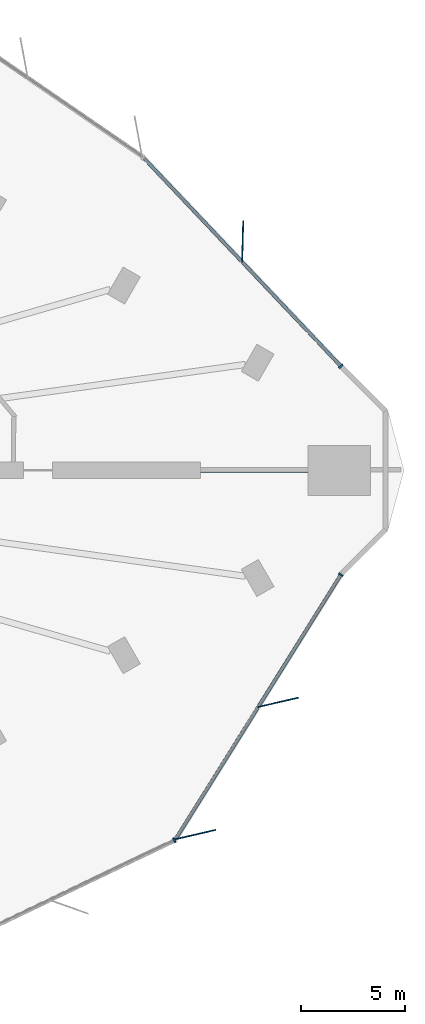
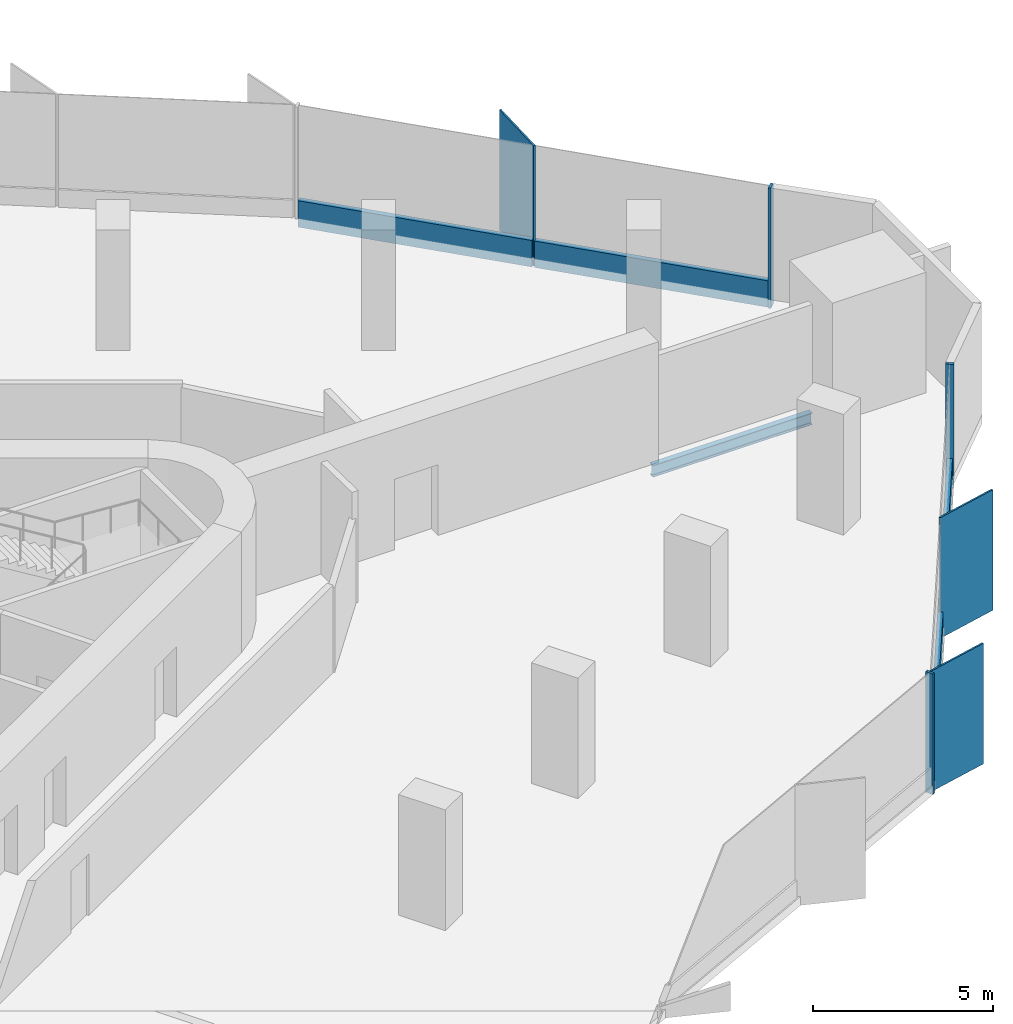
# One storey, part 6 of 15: 10 members, 1 beam, 3 elements without a shape of their own.
"""IFC4 building model written with IfcOpenShell, lengths in metres."""

from ifc_helpers import new_model, si_unit, direction, frame, origin, origin_2d, place, context, subcontext, project, spatial, rectangle, i_section, extrude, material, material_profile, profile_set, type_object, element, aggregate, save


model = new_model("IFC4")

# Units and contexts
model_context = context("Model", 3, precision=1e-05, world=origin(), true_north=direction((0.0, 1.0)))
body_context = subcontext(model_context, "Body", "Model", "MODEL_VIEW")
ifc_project = project(units=[si_unit("LENGTHUNIT", "METRE"), si_unit("AREAUNIT", "SQUARE_METRE"), si_unit("VOLUMEUNIT", "CUBIC_METRE"), si_unit("PLANEANGLEUNIT", "RADIAN"), si_unit("MASSUNIT", "GRAM", prefix="KILO")], contexts=[model_context])

# Site, building, storey
site_placement = place(None, origin())
site = spatial("IfcSite", under=ifc_project, at=site_placement, CompositionType="ELEMENT")
building_placement = place(site_placement, origin())
building = spatial("IfcBuilding", under=site, at=building_placement, Name="Tanit Gate Tower", CompositionType="ELEMENT")
storey_placement = place(building_placement, frame((0.0, 0.0, 98.800048828125)))
storey = spatial("IfcBuildingStorey", under=building, at=storey_placement, Name="L20", CompositionType="ELEMENT", Elevation=98.800048828125)

# Curtain wall, member
ifc_material_1 = material(Name="Aluminium bronze anodised and glass", Category="aluminium")
curtain_wall_type = type_object("IfcCurtainWallType", Name="Curtain wall typical low", PredefinedType="NOTDEFINED", material=ifc_material_1)
curtain_wall_1_placement = place(storey_placement, origin())
curtain_wall_1 = element("IfcCurtainWall", 1, at=curtain_wall_1_placement, inside=storey, type_object=curtain_wall_type, Name="Curtain wall L20 NE1", PredefinedType="NOTDEFINED")
ifc_material_2 = material(Name="Aluminium bronze anodised", Category="aluminium")
ifc_material_profile_1 = material_profile(ifc_material_2, rectangle(XDim=2.0, YDim=0.055908203125, at=origin_2d()), Name="56x2000 bronze fin mullion")
ifc_profile_set_1 = profile_set([ifc_material_profile_1], Name="Aluminium bronze anodised")
member_type_1 = type_object("IfcMemberType", Name="FIN MULLION 56x2000 bronze", PredefinedType="MULLION", material=ifc_profile_set_1)
member_1_placement = place(storey_placement, frame((36.398193359375, 10.951416015625, -0.300048828125), z_axis=(0.0, 0.0, 1.0), x_axis=(-0.027242100018, -0.999628865123, 0.0)))
member_1 = element("IfcMember", 2, at=member_1_placement, type_object=member_type_1, Name="Fin mullion L20 NE1.2", PredefinedType="MULLION", context=body_context, shape_type="SweptSolid", body=[
    extrude(rectangle(XDim=2.0, YDim=0.055908203125, at=origin_2d()), origin(), (0.0, 0.0, 1.0), 4.10009765625),
])

# Curtain wall, members
curtain_wall_2_placement = place(storey_placement, origin())
curtain_wall_2 = element("IfcCurtainWall", 3, at=curtain_wall_2_placement, inside=storey, type_object=curtain_wall_type, Name="Curtain wall L20 SE3", PredefinedType="NOTDEFINED")
member_2_placement = place(storey_placement, frame((34.138671875, -17.432861328125, -0.300048828125), z_axis=(0.0, 0.0, 1.0), x_axis=(-0.974389387498, -0.224867342072, 0.0)))
member_2 = element("IfcMember", 4, at=member_2_placement, type_object=member_type_1, Name="Fin mullion L20 SE3.1", PredefinedType="MULLION", context=body_context, shape_type="SweptSolid", body=[
    extrude(rectangle(XDim=2.0, YDim=0.055908203125, at=origin_2d()), origin(), (0.0, 0.0, 1.0), 4.10009765625),
])
member_3_placement = place(storey_placement, frame((38.09423828125, -11.10400390625, -0.300048828125), z_axis=(0.0, 0.0, 1.0), x_axis=(-0.974389387498, -0.224867342072, 0.0)))
member_3 = element("IfcMember", 5, at=member_3_placement, type_object=member_type_1, Name="Fin mullion L20 SE3.2", PredefinedType="MULLION", context=body_context, shape_type="SweptSolid", body=[
    extrude(rectangle(XDim=2.0, YDim=0.055908203125, at=origin_2d()), origin(), (0.0, 0.0, 1.0), 4.10009765625),
])

# Member
ifc_material_3 = material(Name="Aluminium bronze anodised", Category="aluminium")
ifc_material_profile_2 = material_profile(ifc_material_3, rectangle(XDim=0.239990234375, YDim=0.080078125, at=origin_2d()), Name="80x240 bronze mullion")
ifc_profile_set_2 = profile_set([ifc_material_profile_2], Name="Aluminium bronze anodised")
member_type_2 = type_object("IfcMemberType", Name="Mullion 80x240 typical low", PredefinedType="MULLION", material=ifc_profile_set_2)
member_4_placement = place(storey_placement, frame((41.099609375, 4.9814453125, -0.300048828125), z_axis=(0.0, 0.0, 1.0), x_axis=(-0.726107422855, -0.687581275541, 0.0)))
member_4 = element("IfcMember", 6, at=member_4_placement, type_object=member_type_2, Name="Mullion L20 NE1.1", PredefinedType="MULLION", context=body_context, shape_type="SweptSolid", body=[
    extrude(rectangle(XDim=0.239990234375, YDim=0.080078125, at=origin_2d()), origin(), (0.0, 0.0, 1.0), 4.10009765625),
])

# Curtain wall, member
curtain_wall_3_placement = place(storey_placement, origin())
curtain_wall_3 = element("IfcCurtainWall", 7, at=curtain_wall_3_placement, inside=storey, type_object=curtain_wall_type, Name="Curtain wall L20 SE2", PredefinedType="NOTDEFINED")
member_5_placement = place(storey_placement, frame((33.129150390625, -17.703857421875, -0.300048828125), z_axis=(0.0, 0.0, 1.0), x_axis=(-0.431072811819, 0.902317145415, 0.0)))
member_5 = element("IfcMember", 8, at=member_5_placement, type_object=member_type_2, Name="Mullion L20 SE2.7", PredefinedType="MULLION", context=body_context, shape_type="SweptSolid", body=[
    extrude(rectangle(XDim=0.239990234375, YDim=0.080078125, at=origin_2d()), origin(), (0.0, 0.0, 1.0), 4.10009765625),
])
aggregate(curtain_wall_3, [member_5])

# Member
member_6_placement = place(storey_placement, frame((41.097412109375, -4.994873046875, -0.300048828125), z_axis=(0.0, 0.0, 1.0), x_axis=(-0.848002565863, 0.529992120969, 0.0)))
member_6 = element("IfcMember", 9, at=member_6_placement, type_object=member_type_2, Name="Mullion L20 SE3.3", PredefinedType="MULLION", context=body_context, shape_type="SweptSolid", body=[
    extrude(rectangle(XDim=0.239990234375, YDim=0.080078125, at=origin_2d()), origin(), (0.0, 0.0, 1.0), 4.10009765625),
])

# Beam
ifc_material_4 = material(Name="Steel S355", Category="steel")
ifc_material_profile_3 = material_profile(ifc_material_4, i_section(OverallWidth=0.179931640625, OverallDepth=0.39990234375, WebThickness=0.008544921875, FlangeThickness=0.013427734375, FilletRadius=0.02099609375, at=origin_2d()), Name="IPE 400")
ifc_profile_set_3 = profile_set([ifc_material_profile_3], Name="Steel S355")
beam_type = type_object("IfcBeamType", Name="RADIAL GIRDER IPE 400 S355", PredefinedType="BEAM", material=ifc_profile_set_3)
beam_placement = place(storey_placement, frame((39.520751953125, 0.0, -0.5), z_axis=(-1.0, 0.0, 0.0), x_axis=(0.0, -1.0, 0.0)))
element("IfcBeam", 10, at=beam_placement, inside=storey, type_object=beam_type, Name="RADIAL GIRDER", PredefinedType="BEAM", context=body_context, shape_type="SweptSolid", body=[
    extrude(i_section(OverallWidth=0.179931640625, OverallDepth=0.39990234375, WebThickness=0.008544921875, FlangeThickness=0.013427734375, FilletRadius=0.02099609375, at=origin_2d()), origin(), (0.0, 0.0, 1.0), 5.1298828125),
])

# Member
ifc_material_5 = material(Name="Aluminium bronze anodised", Category="aluminium")
ifc_material_profile_4 = material_profile(ifc_material_5, rectangle(XDim=0.159912109375, YDim=0.89990234375, at=origin_2d()), Name="160x900 bronze transom")
ifc_profile_set_4 = profile_set([ifc_material_profile_4], Name="Aluminium bronze anodised")
member_type_3 = type_object("IfcMemberType", Name="Transom 160x900 typical low", PredefinedType="USERDEFINED", material=ifc_profile_set_4)
member_7_placement = place(storey_placement, frame((41.072021484375, 5.010498046875, 0.14990234375), z_axis=(-0.687571252666, 0.7261169138, 0.0), x_axis=(-0.7261169138, -0.687571252666, 0.0)))
member_7 = element("IfcMember", 11, at=member_7_placement, type_object=member_type_3, Name="Transom L20 NE1.1", ObjectType="TRANSOM", PredefinedType="USERDEFINED", context=body_context, shape_type="SweptSolid", body=[
    extrude(rectangle(XDim=0.159912109375, YDim=0.89990234375, at=origin_2d()), origin(), (0.0, 0.0, 1.0), 6.796142578125),
])

member_8_placement = place(storey_placement, frame((36.34423828125, 10.00341796875, 0.14990234375), z_axis=(-0.687590192353, 0.726098979052, 0.0), x_axis=(-0.726098979052, -0.687590192353, 0.0)))
member_8 = element("IfcMember", 12, at=member_8_placement, type_object=member_type_3, Name="Transom L20 NE1.2", ObjectType="TRANSOM", PredefinedType="USERDEFINED", context=body_context, shape_type="SweptSolid", body=[
    extrude(rectangle(XDim=0.159912109375, YDim=0.89990234375, at=origin_2d()), origin(), (0.0, 0.0, 1.0), 6.79638671875),
])

aggregate(curtain_wall_1, [member_4, member_1, member_7, member_8])

member_9_placement = place(storey_placement, frame((33.207763671875, -17.61865234375, 0.14990234375), z_axis=(0.529995967696, 0.84800016169, 0.0), x_axis=(-0.84800016169, 0.529995967696, 0.0)))
member_9 = element("IfcMember", 13, at=member_9_placement, type_object=member_type_3, Name="Transom L20 SE3.1", ObjectType="TRANSOM", PredefinedType="USERDEFINED", context=body_context, shape_type="SweptSolid", body=[
    extrude(rectangle(XDim=0.159912109375, YDim=0.89990234375, at=origin_2d()), origin(), (0.0, 0.0, 1.0), 7.38330078125),
])

member_10_placement = place(storey_placement, frame((37.1630859375, -11.289794921875, 0.14990234375), z_axis=(0.529995967696, 0.84800016169, 0.0), x_axis=(-0.84800016169, 0.529995967696, 0.0)))
member_10 = element("IfcMember", 14, at=member_10_placement, type_object=member_type_3, Name="Transom L20 SE3.2", ObjectType="TRANSOM", PredefinedType="USERDEFINED", context=body_context, shape_type="SweptSolid", body=[
    extrude(rectangle(XDim=0.159912109375, YDim=0.89990234375, at=origin_2d()), origin(), (0.0, 0.0, 1.0), 7.38330078125),
])

aggregate(curtain_wall_2, [member_2, member_3, member_6, member_9, member_10])

save(model, "model.ifc")
